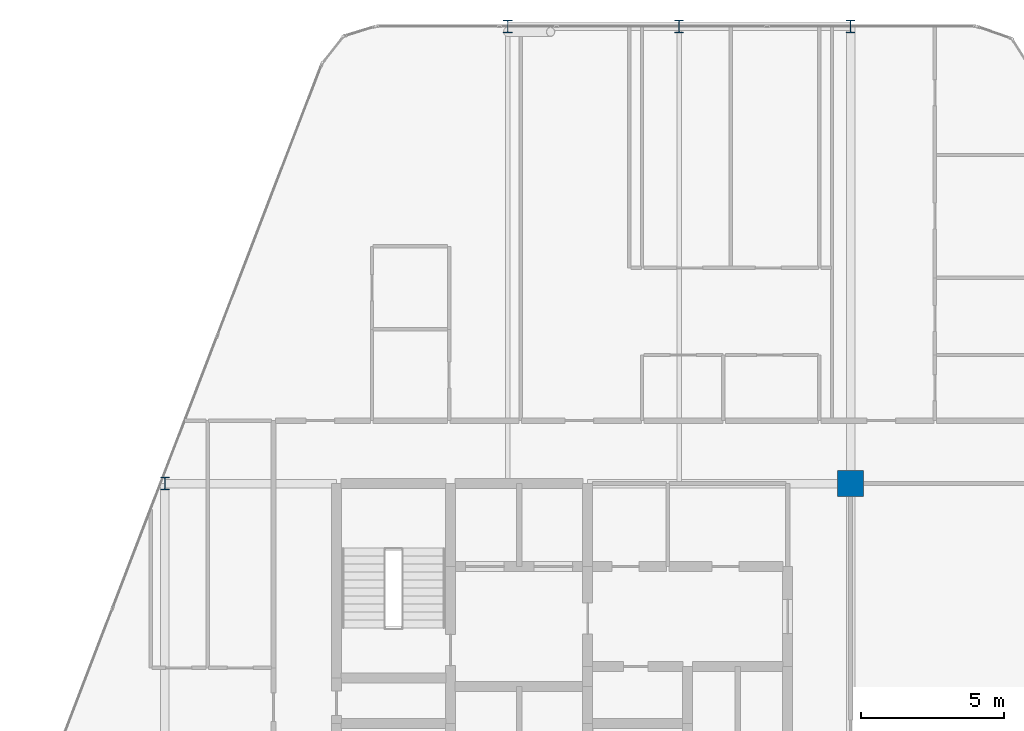
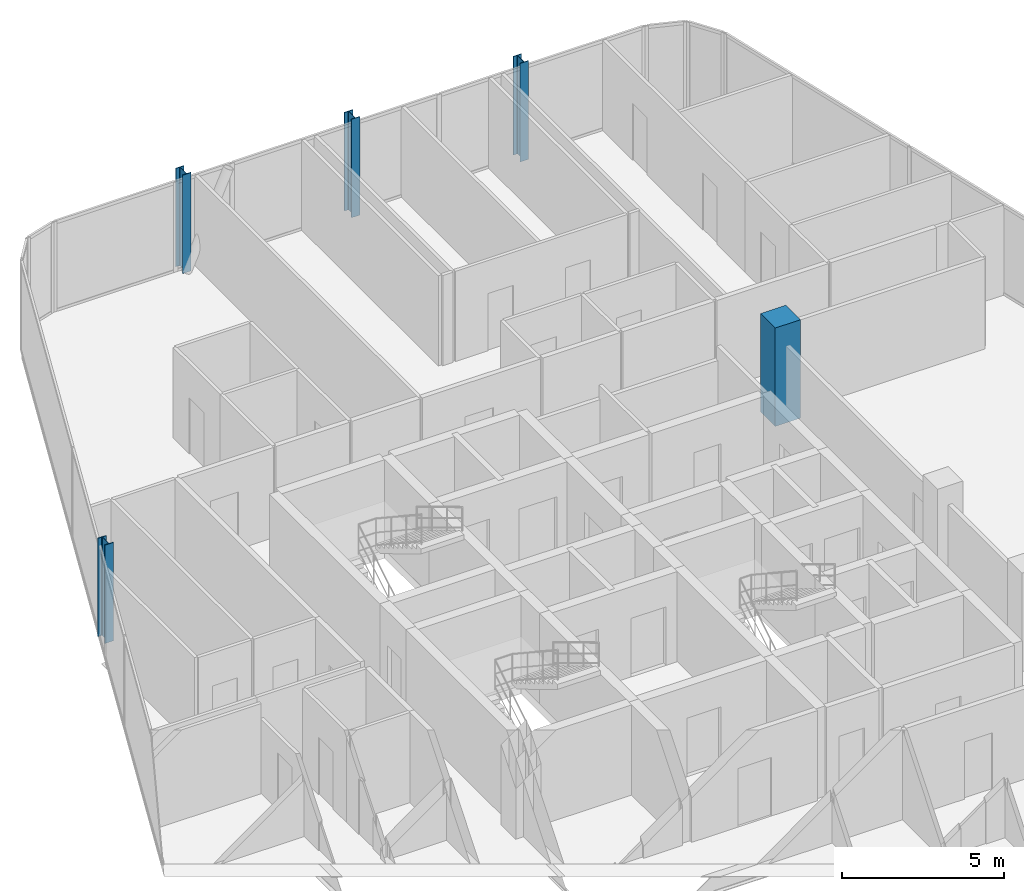
# One storey, part 3 of 29: 5 columns.
"""IFC4 building model written with IfcOpenShell, lengths in metres."""

from ifc_helpers import new_model, si_unit, direction, frame, origin, origin_2d, place, context, subcontext, project, spatial, rectangle, i_section, extrude, material, material_profile, profile_set, type_object, element, save


model = new_model("IFC4")

# Units and contexts
model_context = context("Model", 3, precision=1e-05, world=origin(), true_north=direction((0.0, 1.0)))
body_context = subcontext(model_context, "Body", "Model", "MODEL_VIEW")
ifc_project = project(units=[si_unit("LENGTHUNIT", "METRE"), si_unit("AREAUNIT", "SQUARE_METRE"), si_unit("VOLUMEUNIT", "CUBIC_METRE"), si_unit("PLANEANGLEUNIT", "RADIAN"), si_unit("MASSUNIT", "GRAM", prefix="KILO")], contexts=[model_context])

# Site, building, storey
site_placement = place(None, origin())
site = spatial("IfcSite", under=ifc_project, at=site_placement, CompositionType="ELEMENT")
building_placement = place(site_placement, origin())
building = spatial("IfcBuilding", under=site, at=building_placement, Name="Keshet Zoharim Tower", CompositionType="ELEMENT")
storey_placement = place(building_placement, frame((0.0, 0.0, 169.10009765625)))
storey = spatial("IfcBuildingStorey", under=building, at=storey_placement, Name="L41", CompositionType="ELEMENT", Elevation=169.10009765625)

# Columns
ifc_material_1 = material(Name="Steel S355", Category="steel")
ifc_material_profile_1 = material_profile(ifc_material_1, i_section(OverallWidth=0.300048828125, OverallDepth=0.449951171875, WebThickness=0.013916015625, FlangeThickness=0.02587890625, FilletRadius=0.027099609375, at=origin_2d()), Name="HEB450")
ifc_profile_set_1 = profile_set([ifc_material_profile_1], Name="Steel S355")
column_type_1 = type_object("IfcColumnType", Name="COL-HEB450", PredefinedType="COLUMN", material=ifc_profile_set_1)
for number, where, z_axis, x_axis, name in (
    (1, (9.0, 37.89990234375, 0.0), (0.0, 0.0, 1.0), (1.0, 0.0, 0.0), "L41 Column 2H"),
    (2, (21.0, 53.89990234375, 0.0), (0.0, 0.0, 1.0), (1.0, 0.0, 0.0), "L41 Column 4L"),
    (3, (27.0, 53.89990234375, 0.0), (0.0, 0.0, 1.0), (1.0, 0.0, 0.0), "L41 Column 5L"),
    (4, (33.0, 53.89990234375, 0.0), (0.0, 0.0, 1.0), (1.0, 0.0, 0.0), "L41 Column 6L"),
):
    element("IfcColumn", number, at=place(storey_placement, frame(where, z_axis=z_axis, x_axis=x_axis)), inside=storey, type_object=column_type_1, Name=name, PredefinedType="COLUMN", context=body_context, shape_type="SweptSolid", body=[
        extrude(i_section(OverallWidth=0.300048828125, OverallDepth=0.449951171875, WebThickness=0.013916015625, FlangeThickness=0.02587890625, FilletRadius=0.027099609375, at=origin_2d()), origin(), (0.0, 0.0, 1.0), 3.699951171875),
    ])
ifc_material_2 = material(Name="Concrete C60/75", Category="concrete")
ifc_material_profile_2 = material_profile(ifc_material_2, rectangle(XDim=0.89990234375, YDim=0.89990234375, at=origin_2d()), Name="RC900x900")
ifc_profile_set_2 = profile_set([ifc_material_profile_2], Name="Concrete C60/75")
column_type_2 = type_object("IfcColumnType", Name="COL-RC900", PredefinedType="COLUMN", material=ifc_profile_set_2)
column_placement = place(storey_placement, frame((33.0, 37.89990234375, 0.0), z_axis=(0.0, 0.0, 1.0), x_axis=(1.0, 0.0, 0.0)))
element("IfcColumn", 5, at=column_placement, inside=storey, type_object=column_type_2, Name="L41 Column 6H", PredefinedType="COLUMN", context=body_context, shape_type="SweptSolid", body=[
    extrude(rectangle(XDim=0.89990234375, YDim=0.89990234375, at=origin_2d()), origin(), (0.0, 0.0, 1.0), 3.699951171875),
])

save(model, "model.ifc")
